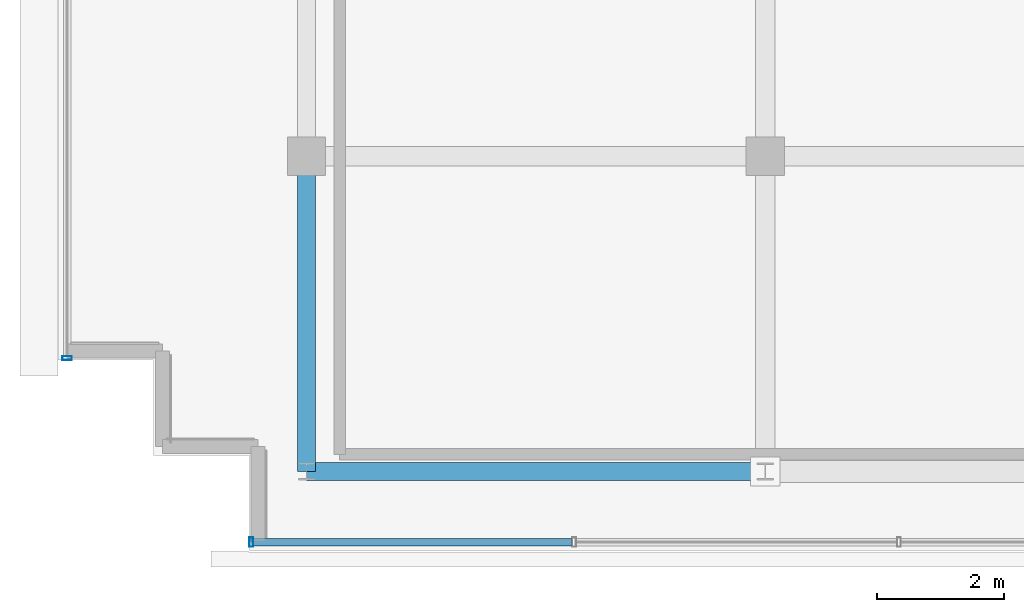
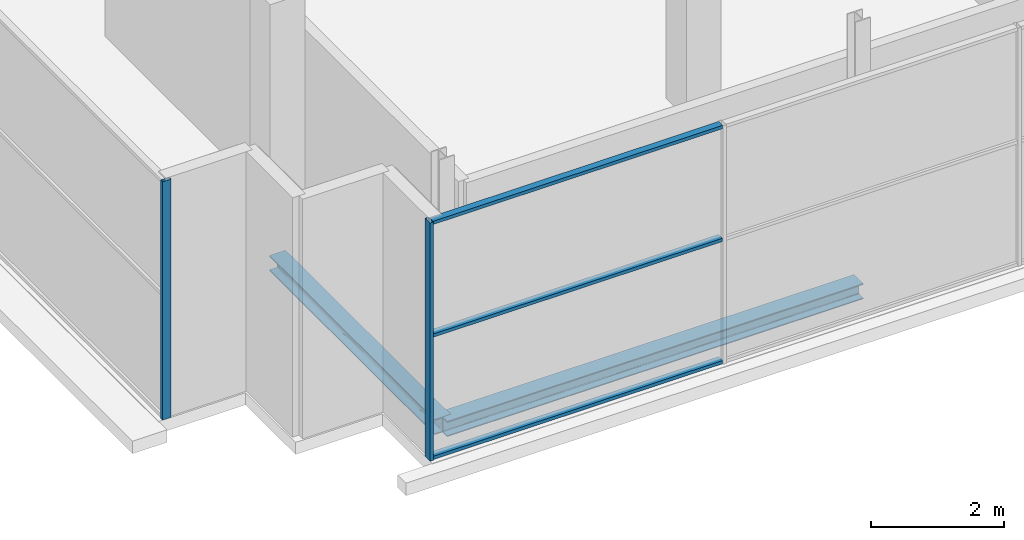
# One storey, part 3 of 28: 5 members, 2 beams, 2 elements without a shape of their own.
"""IFC4 building model written with IfcOpenShell, lengths in metres."""

from ifc_helpers import new_model, si_unit, direction, frame, origin, origin_2d, place, context, subcontext, project, spatial, hollow_rectangle, i_section, extrude, source, transform, mapped, material, layer, layer_set, material_profile, profile_set, type_object, element, aggregate, save


model = new_model("IFC4")

# Units and contexts
model_context = context("Model", 3, precision=1e-05, world=origin(), true_north=direction((0.0, 1.0)))
body_context = subcontext(model_context, "Body", "Model", "MODEL_VIEW")
ifc_project = project(units=[si_unit("LENGTHUNIT", "METRE"), si_unit("AREAUNIT", "SQUARE_METRE"), si_unit("VOLUMEUNIT", "CUBIC_METRE"), si_unit("PLANEANGLEUNIT", "RADIAN"), si_unit("MASSUNIT", "GRAM", prefix="KILO")], contexts=[model_context])

# Site, building, storey
site_placement = place(None, origin())
site = spatial("IfcSite", under=ifc_project, at=site_placement, CompositionType="ELEMENT")
building_placement = place(site_placement, origin())
building = spatial("IfcBuilding", under=site, at=building_placement, Name="Zarnakvel Exchange Tower", CompositionType="ELEMENT")
storey_placement = place(building_placement, frame((0.0, 0.0, 290.0)))
storey = spatial("IfcBuildingStorey", under=building, at=storey_placement, Name="Crown L81", CompositionType="ELEMENT", Elevation=290.0)

# Beams
ifc_material_1 = material(Name="Steel S355", Category="steel")
ifc_material_profile_1 = material_profile(ifc_material_1, i_section(OverallWidth=0.280029296875, OverallDepth=0.280029296875, WebThickness=0.010498046875, FlangeThickness=0.01806640625, FilletRadius=0.02392578125, at=origin_2d()))
ifc_profile_set_1 = profile_set([ifc_material_profile_1], Name="Steel S355")
beam_type = type_object("IfcBeamType", Name="SP-04", PredefinedType="SPANDREL", material=ifc_profile_set_1)
beam_1_placement = place(storey_placement, frame((-14.39990234375, -14.550048828125, -0.360107421875), z_axis=(1.0, 0.0, 0.0), x_axis=(0.0, 1.0, 0.0)))
element("IfcBeam", 1, at=beam_1_placement, inside=storey, type_object=beam_type, Name="Crown L81 Tower E-W Frame Beam", PredefinedType="SPANDREL", context=body_context, shape_type="SweptSolid", body=[
    extrude(i_section(OverallWidth=0.280029296875, OverallDepth=0.280029296875, WebThickness=0.010498046875, FlangeThickness=0.01806640625, FilletRadius=0.02392578125, at=origin_2d()), origin(), (0.0, 0.0, 1.0), 7.199951171875),
])
beam_2_placement = place(storey_placement, frame((-14.39990234375, -14.550048828125, -0.360107421875), z_axis=(0.0, 1.0, 0.0), x_axis=(-1.0, 0.0, 0.0)))
element("IfcBeam", 2, at=beam_2_placement, inside=storey, type_object=beam_type, Name="Crown L81 Tower N-S Frame Beam", PredefinedType="SPANDREL", context=body_context, shape_type="SweptSolid", body=[
    extrude(i_section(OverallWidth=0.280029296875, OverallDepth=0.280029296875, WebThickness=0.010498046875, FlangeThickness=0.01806640625, FilletRadius=0.02392578125, at=origin_2d()), origin(), (0.0, 0.0, 1.0), 4.949951171875),
])

# Curtain wall, member
ifc_material_2 = material(Name="Architectural Bronze Anodised Aluminium", Category="aluminium")
ifc_layer = layer(ifc_material_2, 0.14990234375)
ifc_layer_set = layer_set([ifc_layer], Name="Architectural Bronze Anodised Aluminium")
curtain_wall_type = type_object("IfcCurtainWallType", Name="CW-07", PredefinedType="NOTDEFINED", material=ifc_layer_set)
curtain_wall_1_placement = place(storey_placement, origin())
curtain_wall_1 = element("IfcCurtainWall", 3, at=curtain_wall_1_placement, inside=storey, type_object=curtain_wall_type, Name="Crown L81 Curtain Wall CW-Crown L81-S (CW-07)", PredefinedType="NOTDEFINED")
ifc_material_profile_2 = material_profile(ifc_material_2, hollow_rectangle(XDim=0.14990234375, YDim=0.06005859375, WallThickness=0.00390625, at=origin_2d()))
ifc_profile_set_2 = profile_set([ifc_material_profile_2], Name="Architectural Bronze Anodised Aluminium")
member_type_1 = type_object("IfcMemberType", Name="CWM-07", PredefinedType="MULLION", material=ifc_profile_set_2)
shared_shape_1 = source(origin(), body_context, "Body", "SweptSolid", [
    extrude(hollow_rectangle(XDim=0.14990234375, YDim=0.06005859375, WallThickness=0.00390625, at=origin_2d()), origin(), (0.0, 0.0, 1.0), 4.360107421875),
])
member_1_placement = place(storey_placement, frame((-15.27001953125, -15.659912109375, 0.0), z_axis=(0.0, 0.0, 1.0), x_axis=(0.0, 1.0, 0.0)))
member_1 = element("IfcMember", 4, at=member_1_placement, type_object=member_type_1, Name="CW-07 mullion 1", PredefinedType="MULLION", context=body_context, shape_type="MappedRepresentation", body=[
    mapped(shared_shape_1, transform((0.0, 0.0, 0.0), x_axis=(1.0, 0.0, 0.0), y_axis=(0.0, 1.0, 0.0), z_axis=(0.0, 0.0, 1.0), scale=1.0)),
])

curtain_wall_2_placement = place(storey_placement, origin())
curtain_wall_2 = element("IfcCurtainWall", 5, at=curtain_wall_2_placement, inside=storey, type_object=curtain_wall_type, Name="Crown L81 Curtain Wall CW-Crown L81-W (CW-07)", PredefinedType="NOTDEFINED")
member_2_placement = place(storey_placement, frame((-18.159912109375, -12.77001953125, 0.0), z_axis=(0.0, 0.0, 1.0), x_axis=(-1.0, 0.0, 0.0)))
member_2 = element("IfcMember", 6, at=member_2_placement, type_object=member_type_1, Name="CW-07 mullion 1", PredefinedType="MULLION", context=body_context, shape_type="MappedRepresentation", body=[
    mapped(shared_shape_1, transform((0.0, 0.0, 0.0), x_axis=(1.0, 0.0, 0.0), y_axis=(0.0, 1.0, 0.0), z_axis=(0.0, 0.0, 1.0), scale=1.0)),
])
aggregate(curtain_wall_2, [member_2])

# Member
ifc_material_profile_3 = material_profile(ifc_material_2, hollow_rectangle(XDim=0.1201171875, YDim=0.06005859375, WallThickness=0.00390625, at=origin_2d()))
ifc_profile_set_3 = profile_set([ifc_material_profile_3], Name="Architectural Bronze Anodised Aluminium")
member_type_2 = type_object("IfcMemberType", Name="CWT-07", PredefinedType="USERDEFINED", material=ifc_profile_set_3)
shared_shape_2 = source(origin(), body_context, "Body", "SweptSolid", [
    extrude(hollow_rectangle(XDim=0.1201171875, YDim=0.06005859375, WallThickness=0.00390625, at=origin_2d()), origin(), (0.0, 0.0, 1.0), 5.010009765625),
])
member_3_placement = place(storey_placement, frame((-15.239990234375, -15.659912109375, 0.030029296875), z_axis=(1.0, 0.0, 0.0), x_axis=(0.0, 1.0, 0.0)))
member_3 = element("IfcMember", 7, at=member_3_placement, type_object=member_type_2, Name="CW-07 transom 1.1", ObjectType="TRANSOM", PredefinedType="USERDEFINED", context=body_context, shape_type="MappedRepresentation", body=[
    mapped(shared_shape_2, transform((0.0, 0.0, 0.0), x_axis=(1.0, 0.0, 0.0), y_axis=(0.0, 1.0, 0.0), z_axis=(0.0, 0.0, 1.0), scale=1.0)),
])

member_4_placement = place(storey_placement, frame((-15.239990234375, -15.659912109375, 2.26708984375), z_axis=(1.0, 0.0, 0.0), x_axis=(0.0, 1.0, 0.0)))
member_4 = element("IfcMember", 8, at=member_4_placement, type_object=member_type_2, Name="CW-07 transom 1.2", ObjectType="TRANSOM", PredefinedType="USERDEFINED", context=body_context, shape_type="MappedRepresentation", body=[
    mapped(shared_shape_2, transform((0.0, 0.0, 0.0), x_axis=(1.0, 0.0, 0.0), y_axis=(0.0, 1.0, 0.0), z_axis=(0.0, 0.0, 1.0), scale=1.0)),
])

member_5_placement = place(storey_placement, frame((-15.239990234375, -15.659912109375, 4.330078125), z_axis=(1.0, 0.0, 0.0), x_axis=(0.0, 1.0, 0.0)))
member_5 = element("IfcMember", 9, at=member_5_placement, type_object=member_type_2, Name="CW-07 transom 1.3", ObjectType="TRANSOM", PredefinedType="USERDEFINED", context=body_context, shape_type="MappedRepresentation", body=[
    mapped(shared_shape_2, transform((0.0, 0.0, 0.0), x_axis=(1.0, 0.0, 0.0), y_axis=(0.0, 1.0, 0.0), z_axis=(0.0, 0.0, 1.0), scale=1.0)),
])

aggregate(curtain_wall_1, [member_1, member_3, member_4, member_5])

save(model, "model.ifc")
